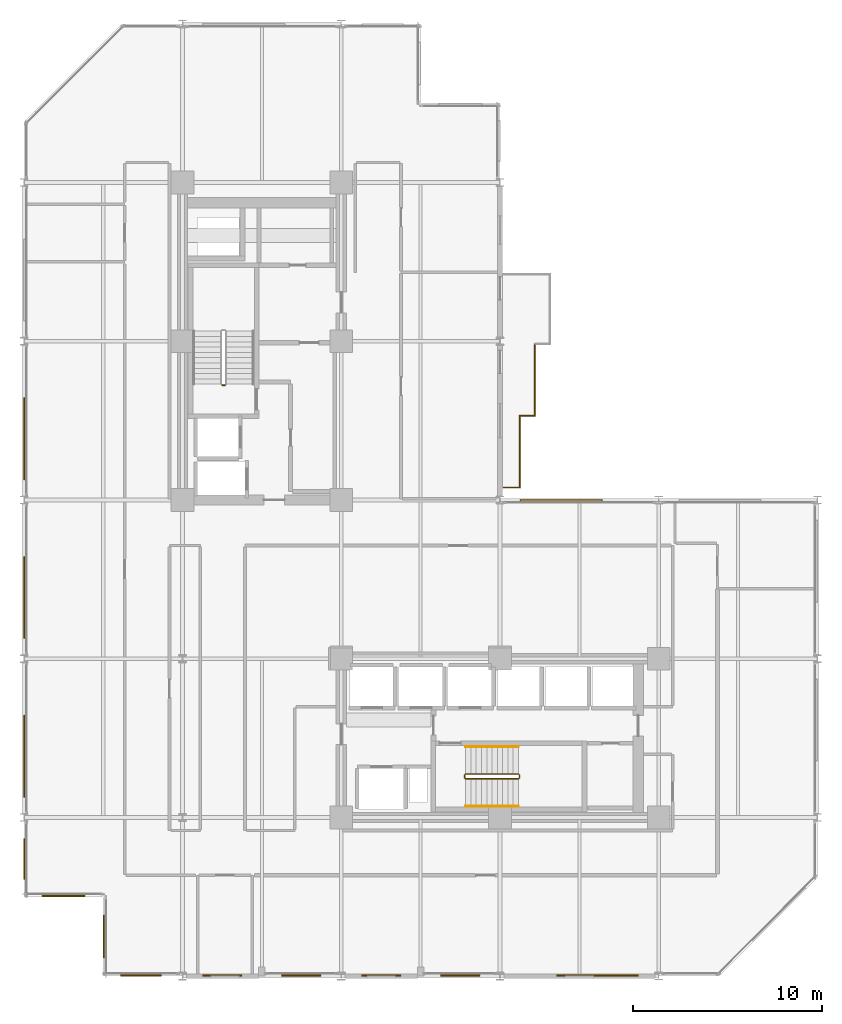
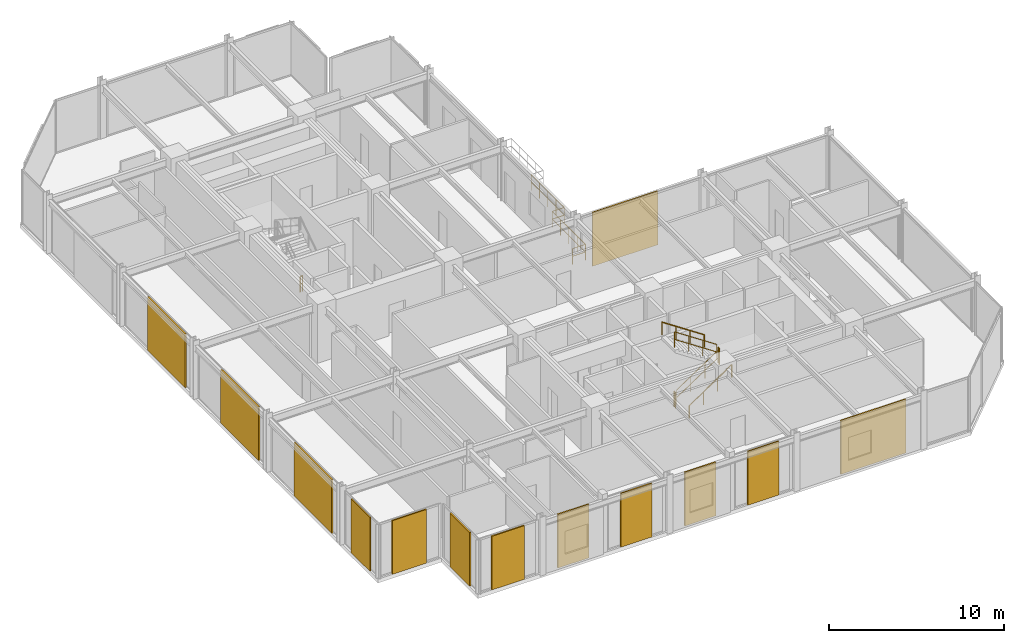
# One storey, part 27 of 29: 13 coverings, 11 railings.
"""IFC4 building model written with IfcOpenShell, lengths in metres."""

from ifc_helpers import new_model, si_unit, direction, frame, origin, origin_2d, place, context, subcontext, project, spatial, rectangle, circle, extrude, material, layer, layer_set, type_object, element, save


model = new_model("IFC4")

# Units and contexts
model_context = context("Model", 3, precision=1e-05, world=origin(), true_north=direction((0.0, 1.0)))
body_context = subcontext(model_context, "Body", "Model", "MODEL_VIEW")
ifc_project = project(units=[si_unit("LENGTHUNIT", "METRE"), si_unit("AREAUNIT", "SQUARE_METRE"), si_unit("VOLUMEUNIT", "CUBIC_METRE"), si_unit("PLANEANGLEUNIT", "RADIAN"), si_unit("MASSUNIT", "GRAM", prefix="KILO")], contexts=[model_context])

# Site, building, storey
site_placement = place(None, origin())
site = spatial("IfcSite", under=ifc_project, at=site_placement, CompositionType="ELEMENT")
building_placement = place(site_placement, origin())
building = spatial("IfcBuilding", under=site, at=building_placement, Name="Nerrivon Quay Data Exchange", CompositionType="ELEMENT")
storey_placement = place(building_placement, frame((0.0, 0.0, 158.199951171875)))
storey = spatial("IfcBuildingStorey", under=building, at=storey_placement, Name="L37", CompositionType="ELEMENT", Elevation=158.199951171875)

# Coverings
ifc_material_1 = material(Name="Architectural terracotta ceramic", Category="masonry")
ifc_layer = layer(ifc_material_1, 0.090087890625)
ifc_layer_set = layer_set([ifc_layer], Name="Architectural terracotta ceramic")
covering_type = type_object("IfcCoveringType", Name="COV-SCR-TERR", PredefinedType="CLADDING", material=ifc_layer_set)
covering_1_placement = place(storey_placement, frame((30.360107421875, 0.044921875, 0.0), z_axis=(0.0, 0.0, 1.0), x_axis=(-1.0, 0.0, 0.0)))
element("IfcCovering", 1, at=covering_1_placement, inside=storey, type_object=covering_type, Name="L37 Perforated Terracotta SOLAR SCREEN Cassette", PredefinedType="CLADDING", context=body_context, shape_type="SweptSolid", body=[
    extrude(rectangle(XDim=4.320068359375, YDim=0.090087890625, at=origin_2d()), origin(), (0.0, 0.0, 1.0), 3.75),
])
for number, where, z_axis, x_axis, name in (
    (2, (23.08740234375, 0.044921875, 0.0), (0.0, 0.0, 1.0), (-1.0, 0.0, 0.0), "L37 Perforated Terracotta SOLAR SCREEN Cassette"),
    (3, (18.91259765625, 0.044921875, 0.0), (0.0, 0.0, 1.0), (-1.0, 0.0, 0.0), "L37 Perforated Terracotta SOLAR SCREEN Cassette"),
):
    element("IfcCovering", number, at=place(storey_placement, frame(where, z_axis=z_axis, x_axis=x_axis)), inside=storey, type_object=covering_type, Name=name, PredefinedType="CLADDING", context=body_context, shape_type="SweptSolid", body=[
        extrude(rectangle(XDim=2.06494140625, YDim=0.090087890625, at=origin_2d()), origin(), (0.0, 0.0, 1.0), 3.75),
    ])
for number, where, z_axis, x_axis, name in (
    (4, (14.6875, 0.044921875, 0.0), (0.0, 0.0, 1.0), (-1.0, 0.0, 0.0), "L37 Perforated Terracotta SOLAR SCREEN Cassette"),
    (5, (10.512451171875, 0.044921875, 0.0), (0.0, 0.0, 1.0), (-1.0, 0.0, 0.0), "L37 Perforated Terracotta SOLAR SCREEN Cassette"),
):
    element("IfcCovering", number, at=place(storey_placement, frame(where, z_axis=z_axis, x_axis=x_axis)), inside=storey, type_object=covering_type, Name=name, PredefinedType="CLADDING", context=body_context, shape_type="SweptSolid", body=[
        extrude(rectangle(XDim=2.06591796875, YDim=0.090087890625, at=origin_2d()), origin(), (0.0, 0.0, 1.0), 3.75),
    ])
covering_2_placement = place(storey_placement, frame((6.199951171875, 0.044921875, 0.0), z_axis=(0.0, 0.0, 1.0), x_axis=(-1.0, 0.0, 0.0)))
element("IfcCovering", 6, at=covering_2_placement, inside=storey, type_object=covering_type, Name="L37 Perforated Terracotta SOLAR SCREEN Cassette", PredefinedType="CLADDING", context=body_context, shape_type="SweptSolid", body=[
    extrude(rectangle(XDim=2.159912109375, YDim=0.090087890625, at=origin_2d()), origin(), (0.0, 0.0, 1.0), 3.75),
])
for number, where, z_axis, x_axis, name in (
    (7, (4.2451171875, 2.10009765625, 0.0), (0.0, 0.0, 1.0), (0.0, 1.0, 0.0), "L37 Perforated Terracotta SOLAR SCREEN Cassette"),
    (8, (2.10009765625, 4.2451171875, 0.0), (0.0, 0.0, 1.0), (-1.0, 0.0, 0.0), "L37 Perforated Terracotta SOLAR SCREEN Cassette"),
):
    element("IfcCovering", number, at=place(storey_placement, frame(where, z_axis=z_axis, x_axis=x_axis)), inside=storey, type_object=covering_type, Name=name, PredefinedType="CLADDING", context=body_context, shape_type="SweptSolid", body=[
        extrude(rectangle(XDim=2.26806640625, YDim=0.090087890625, at=origin_2d()), origin(), (0.0, 0.0, 1.0), 3.75),
    ])
covering_3_placement = place(storey_placement, frame((0.044921875, 6.199951171875, 0.0), z_axis=(0.0, 0.0, 1.0), x_axis=(0.0, 1.0, 0.0)))
element("IfcCovering", 9, at=covering_3_placement, inside=storey, type_object=covering_type, Name="L37 Perforated Terracotta SOLAR SCREEN Cassette", PredefinedType="CLADDING", context=body_context, shape_type="SweptSolid", body=[
    extrude(rectangle(XDim=2.159912109375, YDim=0.090087890625, at=origin_2d()), origin(), (0.0, 0.0, 1.0), 3.75),
])
for number, where, z_axis, x_axis, name in (
    (10, (0.044921875, 11.639892578125, 0.0), (0.0, 0.0, 1.0), (0.0, 1.0, 0.0), "L37 Perforated Terracotta SOLAR SCREEN Cassette"),
    (11, (0.044921875, 20.0400390625, 0.0), (0.0, 0.0, 1.0), (0.0, 1.0, 0.0), "L37 Perforated Terracotta SOLAR SCREEN Cassette"),
    (12, (0.044921875, 28.43994140625, 0.0), (0.0, 0.0, 1.0), (0.0, 1.0, 0.0), "L37 Perforated Terracotta SOLAR SCREEN Cassette"),
    (13, (28.43994140625, 25.155029296875, 0.0), (0.0, 0.0, 1.0), (1.0, 0.0, 0.0), "L37 Perforated Terracotta SOLAR SCREEN Cassette"),
):
    element("IfcCovering", number, at=place(storey_placement, frame(where, z_axis=z_axis, x_axis=x_axis)), inside=storey, type_object=covering_type, Name=name, PredefinedType="CLADDING", context=body_context, shape_type="SweptSolid", body=[
        extrude(rectangle(XDim=4.320068359375, YDim=0.090087890625, at=origin_2d()), origin(), (0.0, 0.0, 1.0), 3.75),
    ])

# Railings
ifc_material_2 = material(Name="Steel Grade C350L0 (350 MPa)", Category="steel")
railing_type_1 = type_object("IfcRailingType", Name="RAIL-GUARD-GR2", PredefinedType="BALUSTRADE", material=ifc_material_2)
railing_1_placement = place(storey_placement, frame((26.239990234375, 29.659912109375, 0.0)))
element("IfcRailing", 14, at=railing_1_placement, inside=storey, type_object=railing_type_1, Name="L37 Verandah Balcony Guard 1.1 1", PredefinedType="BALUSTRADE", context=body_context, shape_type="SweptSolid", body=[
    extrude(circle(Radius=0.02392578125, at=origin_2d()), frame((0.0, 0.0, 1.09619140625), z_axis=(0.0, -1.0, 0.0), x_axis=(1.0, 0.0, 0.0)), (0.0, 0.0, 1.0), 3.7998046875),
    extrude(circle(Radius=0.02392578125, at=origin_2d()), frame((0.0, 0.0, 0.56005859375), z_axis=(0.0, -1.0, 0.0), x_axis=(1.0, 0.0, 0.0)), (0.0, 0.0, 1.0), 3.7998046875),
    extrude(circle(Radius=0.02099609375, at=origin_2d()), origin(), (0.0, 0.0, 1.0), 1.072021484375),
    extrude(circle(Radius=0.02099609375, at=origin_2d()), frame((0.0, -0.949951171875, 0.0)), (0.0, 0.0, 1.0), 1.072021484375),
    extrude(circle(Radius=0.02099609375, at=origin_2d()), frame((0.0, -1.89990234375, 0.0)), (0.0, 0.0, 1.0), 1.072021484375),
    extrude(circle(Radius=0.02099609375, at=origin_2d()), frame((0.0, -2.849853515625, 0.0)), (0.0, 0.0, 1.0), 1.072021484375),
    extrude(circle(Radius=0.02099609375, at=origin_2d()), frame((0.0, -3.7998046875, 0.0)), (0.0, 0.0, 1.0), 1.072021484375),
])
railing_2_placement = place(storey_placement, frame((26.239990234375, 25.860107421875, 0.0)))
element("IfcRailing", 15, at=railing_2_placement, inside=storey, type_object=railing_type_1, Name="L37 Verandah Balcony Guard 1.2 1", PredefinedType="BALUSTRADE", context=body_context, shape_type="SweptSolid", body=[
    extrude(circle(Radius=0.02392578125, at=origin_2d()), frame((0.0, 0.0, 1.09619140625), z_axis=(-1.0, 0.0, 0.0), x_axis=(0.0, -1.0, 0.0)), (0.0, 0.0, 1.0), 0.860107421875),
    extrude(circle(Radius=0.02392578125, at=origin_2d()), frame((0.0, 0.0, 0.56005859375), z_axis=(-1.0, 0.0, 0.0), x_axis=(0.0, -1.0, 0.0)), (0.0, 0.0, 1.0), 0.860107421875),
    extrude(circle(Radius=0.02099609375, at=origin_2d()), origin(), (0.0, 0.0, 1.0), 1.072021484375),
    extrude(circle(Radius=0.02099609375, at=origin_2d()), frame((-0.860107421875, 0.0, 0.0)), (0.0, 0.0, 1.0), 1.072021484375),
])
railing_3_placement = place(storey_placement, frame((27.0400390625, 33.4599609375, 0.0)))
element("IfcRailing", 16, at=railing_3_placement, inside=storey, type_object=railing_type_1, Name="L37 Verandah Balcony Guard 1.6 1", PredefinedType="BALUSTRADE", context=body_context, shape_type="SweptSolid", body=[
    extrude(circle(Radius=0.02392578125, at=origin_2d()), frame((0.0, 0.0, 1.09619140625), z_axis=(0.0, -1.0, 0.0), x_axis=(1.0, 0.0, 0.0)), (0.0, 0.0, 1.0), 3.800048828125),
    extrude(circle(Radius=0.02392578125, at=origin_2d()), frame((0.0, 0.0, 0.56005859375), z_axis=(0.0, -1.0, 0.0), x_axis=(1.0, 0.0, 0.0)), (0.0, 0.0, 1.0), 3.800048828125),
    extrude(circle(Radius=0.02099609375, at=origin_2d()), origin(), (0.0, 0.0, 1.0), 1.072021484375),
    extrude(circle(Radius=0.02099609375, at=origin_2d()), frame((0.0, -0.949951171875, 0.0)), (0.0, 0.0, 1.0), 1.072021484375),
    extrude(circle(Radius=0.02099609375, at=origin_2d()), frame((0.0, -1.89990234375, 0.0)), (0.0, 0.0, 1.0), 1.072021484375),
    extrude(circle(Radius=0.02099609375, at=origin_2d()), frame((0.0, -2.85009765625, 0.0)), (0.0, 0.0, 1.0), 1.072021484375),
    extrude(circle(Radius=0.02099609375, at=origin_2d()), frame((0.0, -3.800048828125, 0.0)), (0.0, 0.0, 1.0), 1.072021484375),
])
railing_4_placement = place(storey_placement, frame((27.0400390625, 29.659912109375, 0.0)))
element("IfcRailing", 17, at=railing_4_placement, inside=storey, type_object=railing_type_1, Name="L37 Verandah Balcony Guard 1.7 1", PredefinedType="BALUSTRADE", context=body_context, shape_type="SweptSolid", body=[
    extrude(circle(Radius=0.02392578125, at=origin_2d()), frame((0.0, 0.0, 1.09619140625), z_axis=(-1.0, 0.0, 0.0), x_axis=(0.0, -1.0, 0.0)), (0.0, 0.0, 1.0), 0.800048828125),
    extrude(circle(Radius=0.02392578125, at=origin_2d()), frame((0.0, 0.0, 0.56005859375), z_axis=(-1.0, 0.0, 0.0), x_axis=(0.0, -1.0, 0.0)), (0.0, 0.0, 1.0), 0.800048828125),
    extrude(circle(Radius=0.02099609375, at=origin_2d()), origin(), (0.0, 0.0, 1.0), 1.072021484375),
    extrude(circle(Radius=0.02099609375, at=origin_2d()), frame((-0.800048828125, 0.0, 0.0)), (0.0, 0.0, 1.0), 1.072021484375),
])
railing_type_2 = type_object("IfcRailingType", Name="RAIL-HAND-HR1", PredefinedType="HANDRAIL", material=ifc_material_2)
railing_5_placement = place(storey_placement, frame((23.3798828125, 9.0, 0.1865234375)))
element("IfcRailing", 18, at=railing_5_placement, inside=storey, type_object=railing_type_2, Name="L37 ST02 stair handrail 1", PredefinedType="HANDRAIL", context=body_context, shape_type="SweptSolid", body=[
    extrude(circle(Radius=0.02392578125, at=origin_2d()), frame((0.0, 0.0, 0.8759765625), z_axis=(0.832485552168, 0.0, 0.554046753832), x_axis=(0.0, 1.0, 0.0)), (0.0, 0.0, 1.0), 3.363525390625),
    extrude(circle(Radius=0.02099609375, at=origin_2d()), origin(), (0.0, 0.0, 1.0), 0.851806640625),
    extrude(circle(Radius=0.02099609375, at=origin_2d()), frame((0.933349609375, 0.0, 0.62109375)), (0.0, 0.0, 1.0), 0.851806640625),
    extrude(circle(Radius=0.02099609375, at=origin_2d()), frame((1.86669921875, 0.0, 1.242431640625)), (0.0, 0.0, 1.0), 0.851806640625),
    extrude(circle(Radius=0.02099609375, at=origin_2d()), frame((2.800048828125, 0.0, 1.863525390625)), (0.0, 0.0, 1.0), 0.851806640625),
])
railing_6_placement = place(storey_placement, frame((26.179931640625, 12.14990234375, 2.236328125)))
element("IfcRailing", 19, at=railing_6_placement, inside=storey, type_object=railing_type_2, Name="L37 ST02 stair handrail 2", PredefinedType="HANDRAIL", context=body_context, shape_type="SweptSolid", body=[
    extrude(circle(Radius=0.02392578125, at=origin_2d()), frame((0.0, 0.0, 0.8759765625), z_axis=(-0.832452072856, 0.0, 0.554097055034), x_axis=(0.0, -1.0, 0.0)), (0.0, 0.0, 1.0), 3.363525390625),
    extrude(circle(Radius=0.02099609375, at=origin_2d()), origin(), (0.0, 0.0, 1.0), 0.851806640625),
    extrude(circle(Radius=0.02099609375, at=origin_2d()), frame((-0.933349609375, 0.0, 0.621337890625)), (0.0, 0.0, 1.0), 0.851806640625),
    extrude(circle(Radius=0.02099609375, at=origin_2d()), frame((-1.86669921875, 0.0, 1.242431640625)), (0.0, 0.0, 1.0), 0.851806640625),
    extrude(circle(Radius=0.02099609375, at=origin_2d()), frame((-2.800048828125, 0.0, 1.86376953125)), (0.0, 0.0, 1.0), 0.851806640625),
])
railing_type_3 = type_object("IfcRailingType", Name="RAIL-STAIR-GR1", PredefinedType="BALUSTRADE", material=ifc_material_2)
railing_7_placement = place(storey_placement, frame((10.64990234375, 31.280029296875, 0.0)))
element("IfcRailing", 20, at=railing_7_placement, inside=storey, type_object=railing_type_3, Name="L37 ST01 stair guard 4", PredefinedType="BALUSTRADE", context=body_context, shape_type="SweptSolid", body=[
    extrude(circle(Radius=0.02392578125, at=origin_2d()), frame((0.0, 0.0, 1.076171875), z_axis=(-1.0, 0.0, 0.0), x_axis=(0.0, -1.0, 0.0)), (0.0, 0.0, 1.0), 0.14990234375),
    extrude(circle(Radius=0.02392578125, at=origin_2d()), frame((0.0, 0.0, 0.550048828125), z_axis=(-1.0, 0.0, 0.0), x_axis=(0.0, -1.0, 0.0)), (0.0, 0.0, 1.0), 0.14990234375),
    extrude(circle(Radius=0.02099609375, at=origin_2d()), origin(), (0.0, 0.0, 1.0), 1.052001953125),
    extrude(circle(Radius=0.02099609375, at=origin_2d()), frame((-0.14990234375, 0.0, 0.0)), (0.0, 0.0, 1.0), 1.052001953125),
])
railing_8_placement = place(storey_placement, frame((23.3798828125, 10.449951171875, 0.1865234375)))
element("IfcRailing", 21, at=railing_8_placement, inside=storey, type_object=railing_type_3, Name="L37 ST02 stair guard 1", PredefinedType="BALUSTRADE", context=body_context, shape_type="SweptSolid", body=[
    extrude(circle(Radius=0.02392578125, at=origin_2d()), frame((0.0, 0.0, 1.076171875), z_axis=(0.832485552168, 0.0, 0.554046753832), x_axis=(0.0, 1.0, 0.0)), (0.0, 0.0, 1.0), 3.363525390625),
    extrude(circle(Radius=0.02392578125, at=origin_2d()), frame((0.0, 0.0, 0.550048828125), z_axis=(0.832485552168, 0.0, 0.554046753832), x_axis=(0.0, 1.0, 0.0)), (0.0, 0.0, 1.0), 3.363525390625),
    extrude(circle(Radius=0.02099609375, at=origin_2d()), origin(), (0.0, 0.0, 1.0), 1.052001953125),
    extrude(circle(Radius=0.02099609375, at=origin_2d()), frame((0.933349609375, 0.0, 0.62109375)), (0.0, 0.0, 1.0), 1.052001953125),
    extrude(circle(Radius=0.02099609375, at=origin_2d()), frame((1.86669921875, 0.0, 1.242431640625)), (0.0, 0.0, 1.0), 1.052001953125),
    extrude(circle(Radius=0.02099609375, at=origin_2d()), frame((2.800048828125, 0.0, 1.863525390625)), (0.0, 0.0, 1.0), 1.052001953125),
])
railing_9_placement = place(storey_placement, frame((26.22998046875, 10.5, 2.050048828125)))
element("IfcRailing", 22, at=railing_9_placement, inside=storey, type_object=railing_type_3, Name="L37 ST02 stair guard 2", PredefinedType="BALUSTRADE", context=body_context, shape_type="SweptSolid", body=[
    extrude(circle(Radius=0.02392578125, at=origin_2d()), frame((0.0, 0.0, 1.076171875), z_axis=(0.0, 1.0, 0.0), x_axis=(-1.0, 0.0, 0.0)), (0.0, 0.0, 1.0), 0.14990234375),
    extrude(circle(Radius=0.02392578125, at=origin_2d()), frame((0.0, 0.0, 0.550048828125), z_axis=(0.0, 1.0, 0.0), x_axis=(-1.0, 0.0, 0.0)), (0.0, 0.0, 1.0), 0.14990234375),
    extrude(circle(Radius=0.02099609375, at=origin_2d()), origin(), (0.0, 0.0, 1.0), 1.052001953125),
    extrude(circle(Radius=0.02099609375, at=origin_2d()), frame((0.0, 0.14990234375, 0.0)), (0.0, 0.0, 1.0), 1.052001953125),
])
railing_10_placement = place(storey_placement, frame((26.179931640625, 10.699951171875, 2.236328125)))
element("IfcRailing", 23, at=railing_10_placement, inside=storey, type_object=railing_type_3, Name="L37 ST02 stair guard 3", PredefinedType="BALUSTRADE", context=body_context, shape_type="SweptSolid", body=[
    extrude(circle(Radius=0.02392578125, at=origin_2d()), frame((0.0, 0.0, 1.076171875), z_axis=(-0.832452072856, 0.0, 0.554097055034), x_axis=(0.0, -1.0, 0.0)), (0.0, 0.0, 1.0), 3.363525390625),
    extrude(circle(Radius=0.02392578125, at=origin_2d()), frame((0.0, 0.0, 0.550048828125), z_axis=(-0.832452072856, 0.0, 0.554097055034), x_axis=(0.0, -1.0, 0.0)), (0.0, 0.0, 1.0), 3.363525390625),
    extrude(circle(Radius=0.02099609375, at=origin_2d()), origin(), (0.0, 0.0, 1.0), 1.052001953125),
    extrude(circle(Radius=0.02099609375, at=origin_2d()), frame((-0.933349609375, 0.0, 0.621337890625)), (0.0, 0.0, 1.0), 1.052001953125),
    extrude(circle(Radius=0.02099609375, at=origin_2d()), frame((-1.86669921875, 0.0, 1.242431640625)), (0.0, 0.0, 1.0), 1.052001953125),
    extrude(circle(Radius=0.02099609375, at=origin_2d()), frame((-2.800048828125, 0.0, 1.86376953125)), (0.0, 0.0, 1.0), 1.052001953125),
])
railing_11_placement = place(storey_placement, frame((23.330078125, 10.5, 0.0)))
element("IfcRailing", 24, at=railing_11_placement, inside=storey, type_object=railing_type_3, Name="L37 ST02 stair guard 4", PredefinedType="BALUSTRADE", context=body_context, shape_type="SweptSolid", body=[
    extrude(circle(Radius=0.02392578125, at=origin_2d()), frame((0.0, 0.0, 1.076171875), z_axis=(0.0, 1.0, 0.0), x_axis=(-1.0, 0.0, 0.0)), (0.0, 0.0, 1.0), 0.14990234375),
    extrude(circle(Radius=0.02392578125, at=origin_2d()), frame((0.0, 0.0, 0.550048828125), z_axis=(0.0, 1.0, 0.0), x_axis=(-1.0, 0.0, 0.0)), (0.0, 0.0, 1.0), 0.14990234375),
    extrude(circle(Radius=0.02099609375, at=origin_2d()), origin(), (0.0, 0.0, 1.0), 1.052001953125),
    extrude(circle(Radius=0.02099609375, at=origin_2d()), frame((0.0, 0.14990234375, 0.0)), (0.0, 0.0, 1.0), 1.052001953125),
])

save(model, "model.ifc")
